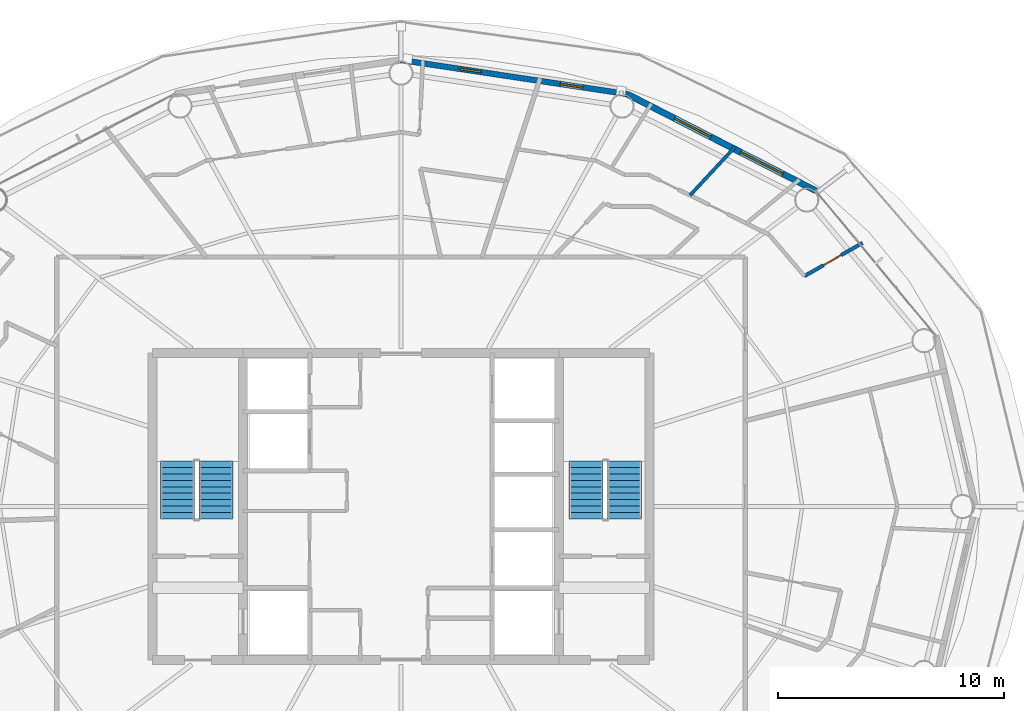
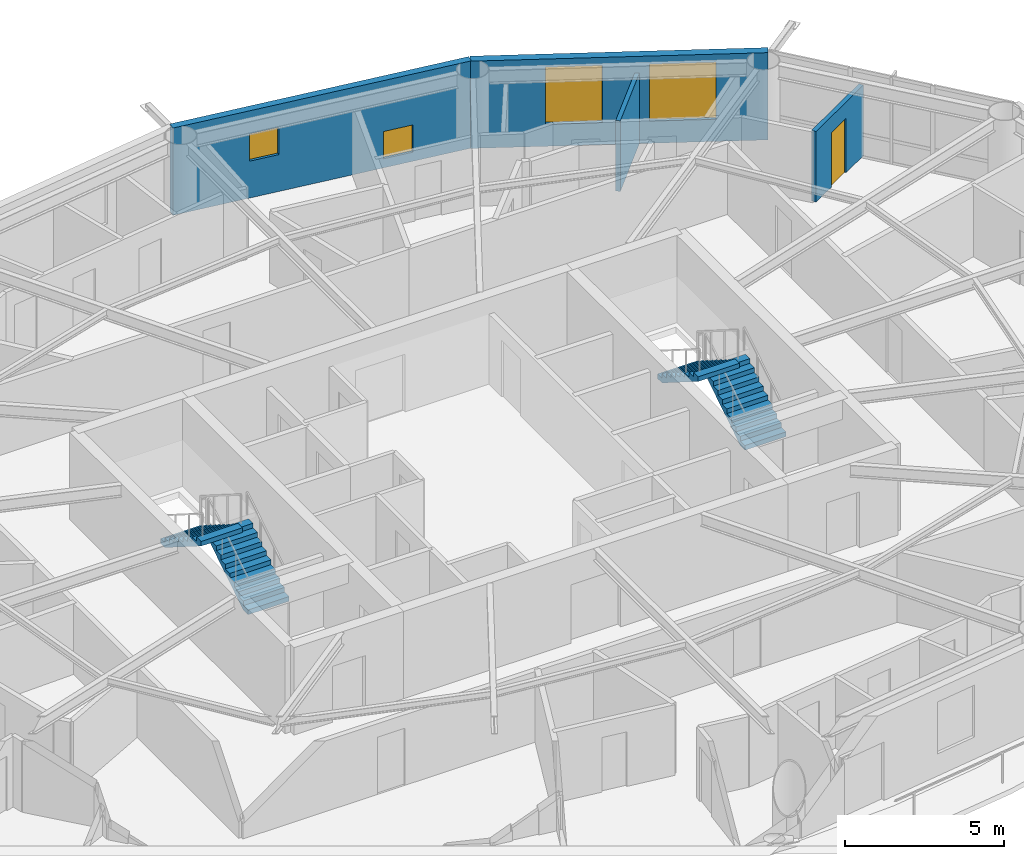
# One storey, part 20 of 23: 4 stair flights, 4 walls, 4 windows, 1 door, 5 openings, 2 elements without a shape of their own.
"""IFC4 building model written with IfcOpenShell, lengths in metres."""

from ifc_helpers import new_model, si_unit, direction, frame, frame_2d, origin, place, context, subcontext, project, spatial, polyline, rectangle, outline, extrude, material, layer, layer_set, type_object, element, fill, aggregate, save


model = new_model("IFC4")

# Units and contexts
model_context = context("Model", 3, precision=1e-05, world=origin(), true_north=direction((0.0, 1.0)))
body_context = subcontext(model_context, "Body", "Model", "MODEL_VIEW")
ifc_project = project(units=[si_unit("LENGTHUNIT", "METRE"), si_unit("AREAUNIT", "SQUARE_METRE"), si_unit("VOLUMEUNIT", "CUBIC_METRE"), si_unit("PLANEANGLEUNIT", "RADIAN"), si_unit("MASSUNIT", "GRAM", prefix="KILO")], contexts=[model_context])

# Site, building, storey
site_placement = place(None, origin())
site = spatial("IfcSite", under=ifc_project, at=site_placement, CompositionType="ELEMENT")
building_placement = place(site_placement, origin())
building = spatial("IfcBuilding", under=site, at=building_placement, Name="Sarneth Arch Tower", CompositionType="ELEMENT")
storey_placement = place(building_placement, frame((0.0, 0.0, 238.800048828125)))
storey = spatial("IfcBuildingStorey", under=building, at=storey_placement, Name="L61", CompositionType="ELEMENT", Elevation=238.800048828125)

# Wall, openings, windows
ifc_material_1 = material(Name="Extruded terracotta rainscreen on Concrete C40/50 backing", Category="masonry")
ifc_layer_1 = layer(ifc_material_1, 0.25)
ifc_layer_set_1 = layer_set([ifc_layer_1], Name="Extruded terracotta rainscreen on Concrete C40/50 backing")
wall_type_1 = type_object("IfcWallType", Name="WALL-EXT-SPAND-250", PredefinedType="SOLIDWALL", material=ifc_layer_set_1)
wall_1_placement = place(storey_placement, frame((58.0126953125, 60.2744140625, 0.0), z_axis=(0.0, 0.0, 1.0), x_axis=(-0.988882522213, 0.148698881169, 0.0)))
wall_1 = element("IfcWall", 1, at=wall_1_placement, inside=storey, type_object=wall_type_1, Name="L61 Terracotta perimeter wall 04", PredefinedType="SOLIDWALL", context=body_context, shape_type="SweptSolid", body=[
    extrude(rectangle(XDim=10.125244140625, YDim=0.25, at=frame_2d((5.0625, 0.0))), origin(), (0.0, 0.0, 1.0), 3.35986328125),
])
opening_1_placement = place(wall_1_placement, frame((1.990478515625, 0.0, 0.35009765625)))
opening_1 = element("IfcOpeningElement", 2, at=opening_1_placement, cuts=wall_1, Name="Opening W-14", PredefinedType="OPENING", context=body_context, shape_type="SweptSolid", body=[
    extrude(rectangle(XDim=1.0, YDim=1.050048828125, at=frame_2d((0.5, 0.52490234375))), frame((0.0, 0.135009765625, 0.0), z_axis=(0.0, -1.0, 0.0), x_axis=(1.0, 0.0, 0.0)), (0.0, 0.0, 1.0), 0.27001953125),
])
opening_2_placement = place(wall_1_placement, frame((6.53271484375, 0.0, 1.419921875)))
opening_2 = element("IfcOpeningElement", 3, at=opening_2_placement, cuts=wall_1, Name="Opening W-14", PredefinedType="OPENING", context=body_context, shape_type="SweptSolid", body=[
    extrude(rectangle(XDim=1.0, YDim=1.050048828125, at=frame_2d((0.5, 0.52490234375))), frame((0.0, 0.135009765625, 0.0), z_axis=(0.0, -1.0, 0.0), x_axis=(1.0, 0.0, 0.0)), (0.0, 0.0, 1.0), 0.27001953125),
])
ifc_material_2 = material(Name="Thermally broken Aluminium 6063-T6 and low-e laminated IGU", Category="aluminium")
window_type_1 = type_object("IfcWindowType", Name="WIN-TWR-1000x1050", PartitioningType="SINGLE_PANEL", PredefinedType="WINDOW", material=ifc_material_2)
window_1_placement = place(opening_1_placement, origin())
window_1 = element("IfcWindow", 4, at=window_1_placement, inside=storey, type_object=window_type_1, Name="L61 Dwelling bedroom window 01", OverallHeight=1.050048828125, OverallWidth=1.0, PartitioningType="SINGLE_PANEL", PredefinedType="WINDOW", context=body_context, shape_type="SweptSolid", body=[
    extrude(rectangle(XDim=1.0, YDim=1.050048828125, at=frame_2d((0.5, 0.52490234375))), frame((0.0, 0.030029296875, 0.0), z_axis=(0.0, -1.0, 0.0), x_axis=(1.0, 0.0, 0.0)), (0.0, 0.0, 1.0), 0.06005859375),
])
fill(opening_1, window_1)
window_2_placement = place(opening_2_placement, origin())
window_2 = element("IfcWindow", 5, at=window_2_placement, inside=storey, type_object=window_type_1, Name="L61 Dwelling bedroom window 02", OverallHeight=1.050048828125, OverallWidth=1.0, PartitioningType="SINGLE_PANEL", PredefinedType="WINDOW", context=body_context, shape_type="SweptSolid", body=[
    extrude(rectangle(XDim=1.0, YDim=1.050048828125, at=frame_2d((0.5, 0.52490234375))), frame((0.0, 0.030029296875, 0.0), z_axis=(0.0, -1.0, 0.0), x_axis=(1.0, 0.0, 0.0)), (0.0, 0.0, 1.0), 0.06005859375),
])
fill(opening_2, window_2)

ifc_material_3 = material(Name="Extruded terracotta rainscreen on Concrete C40/50 backing", Category="masonry")
ifc_layer_2 = layer(ifc_material_3, 0.280029296875)
ifc_layer_set_2 = layer_set([ifc_layer_2], Name="Extruded terracotta rainscreen on Concrete C40/50 backing")
wall_type_2 = type_object("IfcWallType", Name="WALL-EXT-TERRA-280", PredefinedType="SOLIDWALL", material=ifc_layer_set_2)
wall_2_placement = place(storey_placement, frame((66.382568359375, 55.986572265625, 0.0), z_axis=(0.0, 0.0, 1.0), x_axis=(-0.890007394051, 0.455946091699, 0.0)))
wall_2 = element("IfcWall", 6, at=wall_2_placement, inside=storey, type_object=wall_type_2, Name="L61 Terracotta perimeter wall 03", PredefinedType="SOLIDWALL", context=body_context, shape_type="SweptSolid", body=[
    extrude(rectangle(XDim=9.404296875, YDim=0.280029296875, at=frame_2d((4.7021484375, 0.0))), origin(), (0.0, 0.0, 1.0), 3.35986328125),
])
opening_3_placement = place(wall_2_placement, frame((1.64794921875, 0.0, 0.85009765625)))
opening_3 = element("IfcOpeningElement", 7, at=opening_3_placement, cuts=wall_2, Name="Opening W-03", PredefinedType="OPENING", context=body_context, shape_type="SweptSolid", body=[
    extrude(rectangle(XDim=2.10009765625, YDim=2.199951171875, at=frame_2d((1.050048828125, 1.10009765625))), frame((0.0, 0.14990234375, 0.0), z_axis=(0.0, -1.0, 0.0), x_axis=(1.0, 0.0, 0.0)), (0.0, 0.0, 1.0), 0.300048828125),
])
opening_4_placement = place(wall_2_placement, frame((5.23876953125, 0.0, 0.85009765625)))
opening_4 = element("IfcOpeningElement", 8, at=opening_4_placement, cuts=wall_2, Name="Opening W-04", PredefinedType="OPENING", context=body_context, shape_type="SweptSolid", body=[
    extrude(rectangle(XDim=1.800048828125, YDim=2.199951171875, at=frame_2d((0.89990234375, 1.10009765625))), frame((0.0, 0.14990234375, 0.0), z_axis=(0.0, -1.0, 0.0), x_axis=(1.0, 0.0, 0.0)), (0.0, 0.0, 1.0), 0.300048828125),
])
ifc_material_4 = material(Name="Thermally broken Aluminium 6063-T6 and low-e laminated IGU", Category="aluminium")
window_type_2 = type_object("IfcWindowType", Name="WIN-TWR-1800x2200", PartitioningType="DOUBLE_PANEL_VERTICAL", PredefinedType="WINDOW", material=ifc_material_4)
window_3_placement = place(opening_4_placement, origin())
window_3 = element("IfcWindow", 9, at=window_3_placement, inside=storey, type_object=window_type_2, Name="L61 Exterior window 03B", OverallHeight=2.199951171875, OverallWidth=1.800048828125, PartitioningType="SINGLE_PANEL", PredefinedType="WINDOW", context=body_context, shape_type="SweptSolid", body=[
    extrude(rectangle(XDim=1.800048828125, YDim=2.199951171875, at=frame_2d((0.89990234375, 1.10009765625))), frame((0.0, 0.030029296875, 0.0), z_axis=(0.0, -1.0, 0.0), x_axis=(1.0, 0.0, 0.0)), (0.0, 0.0, 1.0), 0.06005859375),
])
fill(opening_4, window_3)
ifc_material_5 = material(Name="Thermally broken Aluminium 6063-T6 and low-e laminated IGU", Category="aluminium")
window_type_3 = type_object("IfcWindowType", Name="WIN-TWR-2100x2200", PartitioningType="DOUBLE_PANEL_VERTICAL", PredefinedType="WINDOW", material=ifc_material_5)
window_4_placement = place(opening_3_placement, origin())
window_4 = element("IfcWindow", 10, at=window_4_placement, inside=storey, type_object=window_type_3, Name="L61 Exterior window 03A", OverallHeight=2.199951171875, OverallWidth=2.10009765625, PartitioningType="SINGLE_PANEL", PredefinedType="WINDOW", context=body_context, shape_type="SweptSolid", body=[
    extrude(rectangle(XDim=2.10009765625, YDim=2.199951171875, at=frame_2d((1.050048828125, 1.10009765625))), frame((0.0, 0.030029296875, 0.0), z_axis=(0.0, -1.0, 0.0), x_axis=(1.0, 0.0, 0.0)), (0.0, 0.0, 1.0), 0.06005859375),
])
fill(opening_3, window_4)

# Wall
ifc_material_6 = material(Name="Acoustic gypsum stud partition", Category="gypsum")
ifc_layer_3 = layer(ifc_material_6, 0.14990234375)
ifc_layer_set_3 = layer_set([ifc_layer_3], Name="Acoustic gypsum stud partition")
wall_type_3 = type_object("IfcWallType", Name="WALL-PART-150", PredefinedType="PARTITIONING", material=ifc_layer_set_3)
wall_3_placement = place(storey_placement, frame((62.8125, 57.9453125, 0.0), z_axis=(0.0, 0.0, 1.0), x_axis=(-0.680590804007, -0.732663741085, 0.0)))
element("IfcWall", 11, at=wall_3_placement, inside=storey, type_object=wall_type_3, Name="L61 Interior partition W-L61-TP-039", PredefinedType="PARTITIONING", context=body_context, shape_type="SweptSolid", body=[
    extrude(rectangle(XDim=2.948974609375, YDim=0.14990234375, at=frame_2d((1.474609375, 0.0))), origin(), (0.0, 0.0, 1.0), 2.719970703125),
])

# Wall, opening, door
ifc_material_7 = material(Name="Kitchen wet service chase wall", Category="gypsum")
ifc_layer_4 = layer(ifc_material_7, 0.159912109375)
ifc_layer_set_4 = layer_set([ifc_layer_4], Name="Kitchen wet service chase wall")
wall_type_4 = type_object("IfcWallType", Name="WALL-PLUMB-160", PredefinedType="PLUMBINGWALL", material=ifc_layer_set_4)
wall_4_placement = place(storey_placement, frame((65.87451171875, 52.208984375, 0.0), z_axis=(0.0, 0.0, 1.0), x_axis=(0.868349640853, 0.495952519128, 0.0)))
wall_4 = element("IfcWall", 12, at=wall_4_placement, inside=storey, type_object=wall_type_4, Name="L61 Interior partition W-L61-TP-022", PredefinedType="PLUMBINGWALL", context=body_context, shape_type="SweptSolid", body=[
    extrude(rectangle(XDim=2.9619140625, YDim=0.159912109375, at=frame_2d((1.48095703125, 0.0))), origin(), (0.0, 0.0, 1.0), 2.719970703125),
])
opening_5_placement = place(wall_4_placement, frame((0.970947265625, 0.0, 0.0)))
opening_5 = element("IfcOpeningElement", 13, at=opening_5_placement, cuts=wall_4, Name="Opening ID-01", PredefinedType="OPENING", context=body_context, shape_type="SweptSolid", body=[
    extrude(rectangle(XDim=0.89990234375, YDim=2.10009765625, at=frame_2d((0.449951171875, 1.050048828125))), frame((0.0, 0.08984375, 0.0), z_axis=(0.0, -1.0, 0.0), x_axis=(1.0, 0.0, 0.0)), (0.0, 0.0, 1.0), 0.179931640625),
])
ifc_material_8 = material(Name="Engineered hardwood flush door", Category="wood")
door_type = type_object("IfcDoorType", Name="DR-INT-900", OperationType="SINGLE_SWING_LEFT", PredefinedType="DOOR", material=ifc_material_8)
door_placement = place(opening_5_placement, origin())
door = element("IfcDoor", 14, at=door_placement, inside=storey, type_object=door_type, Name="L61 Interior door DR-L61-U1-KIT", OperationType="SINGLE_SWING_RIGHT", OverallHeight=2.10009765625, OverallWidth=0.89990234375, PredefinedType="DOOR", context=body_context, shape_type="SweptSolid", body=[
    extrude(rectangle(XDim=0.89990234375, YDim=2.10009765625, at=frame_2d((0.449951171875, 1.050048828125))), frame((0.0, 0.02490234375, 0.0), z_axis=(0.0, -1.0, 0.0), x_axis=(1.0, 0.0, 0.0)), (0.0, 0.0, 1.0), 0.050048828125),
])
fill(opening_5, door)

# Stair, stair flights
ifc_material_9 = material(Name="Concrete C50/60", Category="concrete")
stair_type = type_object("IfcStairType", Name="STAIR-CORE-RC", PredefinedType="HALF_TURN_STAIR", material=ifc_material_9)
stair_1_placement = place(storey_placement, origin())
stair_1 = element("IfcStair", 15, at=stair_1_placement, inside=storey, type_object=stair_type, Name="L61 Core Exit Stair 1", PredefinedType="HALF_TURN_STAIR")
ifc_material_10 = material(Name="Concrete C50/60", Category="concrete")
stair_flight_type = type_object("IfcStairFlightType", Name="FLIGHT-RC-1500", PredefinedType="STRAIGHT", material=ifc_material_10)
stair_flight_1_placement = place(storey_placement, frame((39.800048828125, 41.449951171875, 0.0), z_axis=(0.0, 0.0, 1.0), x_axis=(0.0, 1.0, 0.0)))
stair_flight_1 = element("IfcStairFlight", 16, at=stair_flight_1_placement, type_object=stair_flight_type, Name="ST-1 flight 1", NumberOfRisers=10, NumberOfTreads=9, PredefinedType="STRAIGHT", RiserHeight=0.18, TreadLength=0.285, context=body_context, shape_type="SweptSolid", body=[
    extrude(outline(polyline([(0.0, 0.0), (0.0, 0.179931640625), (0.284912109375, 0.179931640625), (0.284912109375, 0.360107421875), (0.570068359375, 0.360107421875), (0.570068359375, 0.5400390625), (0.85498046875, 0.5400390625), (0.85498046875, 0.719970703125), (1.139892578125, 0.719970703125), (1.139892578125, 0.89990234375), (1.425048828125, 0.89990234375), (1.425048828125, 1.080078125), (1.7099609375, 1.080078125), (1.7099609375, 1.260009765625), (1.9951171875, 1.260009765625), (1.9951171875, 1.43994140625), (2.280029296875, 1.43994140625), (2.280029296875, 1.6201171875), (2.56494140625, 1.6201171875), (2.56494140625, 1.800048828125), (2.56494140625, 1.442626953125), (0.28076171875, 0.0), (0.0, 0.0)])), frame((0.0, 0.75, 0.0), z_axis=(0.0, -1.0, 0.0), x_axis=(1.0, 0.0, 0.0)), (0.0, 0.0, 1.0), 1.5),
])
stair_flight_2_placement = place(storey_placement, frame((38.10009765625, 44.014892578125, 1.800048828125), z_axis=(0.0, 0.0, 1.0), x_axis=(0.0, -1.0, 0.0)))
stair_flight_2 = element("IfcStairFlight", 17, at=stair_flight_2_placement, type_object=stair_flight_type, Name="ST-1 flight 2", NumberOfRisers=10, NumberOfTreads=9, PredefinedType="STRAIGHT", RiserHeight=0.18, TreadLength=0.285, context=body_context, shape_type="SweptSolid", body=[
    extrude(outline(polyline([(0.0, 0.0), (0.0, 0.179931640625), (0.284912109375, 0.179931640625), (0.284912109375, 0.360107421875), (0.570068359375, 0.360107421875), (0.570068359375, 0.5400390625), (0.85498046875, 0.5400390625), (0.85498046875, 0.719970703125), (1.139892578125, 0.719970703125), (1.139892578125, 0.89990234375), (1.425048828125, 0.89990234375), (1.425048828125, 1.080078125), (1.7099609375, 1.080078125), (1.7099609375, 1.260009765625), (1.9951171875, 1.260009765625), (1.9951171875, 1.43994140625), (2.280029296875, 1.43994140625), (2.280029296875, 1.6201171875), (2.56494140625, 1.6201171875), (2.56494140625, 1.800048828125), (2.56494140625, 1.442626953125), (0.28076171875, 0.0), (0.0, 0.0)])), frame((0.0, 0.75, 0.0), z_axis=(0.0, -1.0, 0.0), x_axis=(1.0, 0.0, 0.0)), (0.0, 0.0, 1.0), 1.5),
])
aggregate(stair_1, [stair_flight_1, stair_flight_2])

stair_2_placement = place(storey_placement, origin())
stair_2 = element("IfcStair", 18, at=stair_2_placement, inside=storey, type_object=stair_type, Name="L61 Core Exit Stair 2", PredefinedType="HALF_TURN_STAIR")
stair_flight_3_placement = place(storey_placement, frame((57.89990234375, 41.449951171875, 0.0), z_axis=(0.0, 0.0, 1.0), x_axis=(0.0, 1.0, 0.0)))
stair_flight_3 = element("IfcStairFlight", 19, at=stair_flight_3_placement, type_object=stair_flight_type, Name="ST-2 flight 1", NumberOfRisers=10, NumberOfTreads=9, PredefinedType="STRAIGHT", RiserHeight=0.18, TreadLength=0.285, context=body_context, shape_type="SweptSolid", body=[
    extrude(outline(polyline([(0.0, 0.0), (0.0, 0.179931640625), (0.284912109375, 0.179931640625), (0.284912109375, 0.360107421875), (0.570068359375, 0.360107421875), (0.570068359375, 0.5400390625), (0.85498046875, 0.5400390625), (0.85498046875, 0.719970703125), (1.139892578125, 0.719970703125), (1.139892578125, 0.89990234375), (1.425048828125, 0.89990234375), (1.425048828125, 1.080078125), (1.7099609375, 1.080078125), (1.7099609375, 1.260009765625), (1.9951171875, 1.260009765625), (1.9951171875, 1.43994140625), (2.280029296875, 1.43994140625), (2.280029296875, 1.6201171875), (2.56494140625, 1.6201171875), (2.56494140625, 1.800048828125), (2.56494140625, 1.442626953125), (0.28076171875, 0.0), (0.0, 0.0)])), frame((0.0, 0.75, 0.0), z_axis=(0.0, -1.0, 0.0), x_axis=(1.0, 0.0, 0.0)), (0.0, 0.0, 1.0), 1.5),
])
stair_flight_4_placement = place(storey_placement, frame((56.199951171875, 44.014892578125, 1.800048828125), z_axis=(0.0, 0.0, 1.0), x_axis=(0.0, -1.0, 0.0)))
stair_flight_4 = element("IfcStairFlight", 20, at=stair_flight_4_placement, type_object=stair_flight_type, Name="ST-2 flight 2", NumberOfRisers=10, NumberOfTreads=9, PredefinedType="STRAIGHT", RiserHeight=0.18, TreadLength=0.285, context=body_context, shape_type="SweptSolid", body=[
    extrude(outline(polyline([(0.0, 0.0), (0.0, 0.179931640625), (0.284912109375, 0.179931640625), (0.284912109375, 0.360107421875), (0.570068359375, 0.360107421875), (0.570068359375, 0.5400390625), (0.85498046875, 0.5400390625), (0.85498046875, 0.719970703125), (1.139892578125, 0.719970703125), (1.139892578125, 0.89990234375), (1.425048828125, 0.89990234375), (1.425048828125, 1.080078125), (1.7099609375, 1.080078125), (1.7099609375, 1.260009765625), (1.9951171875, 1.260009765625), (1.9951171875, 1.43994140625), (2.280029296875, 1.43994140625), (2.280029296875, 1.6201171875), (2.56494140625, 1.6201171875), (2.56494140625, 1.800048828125), (2.56494140625, 1.442626953125), (0.28076171875, 0.0), (0.0, 0.0)])), frame((0.0, 0.75, 0.0), z_axis=(0.0, -1.0, 0.0), x_axis=(1.0, 0.0, 0.0)), (0.0, 0.0, 1.0), 1.5),
])
aggregate(stair_2, [stair_flight_3, stair_flight_4])

save(model, "model.ifc")
